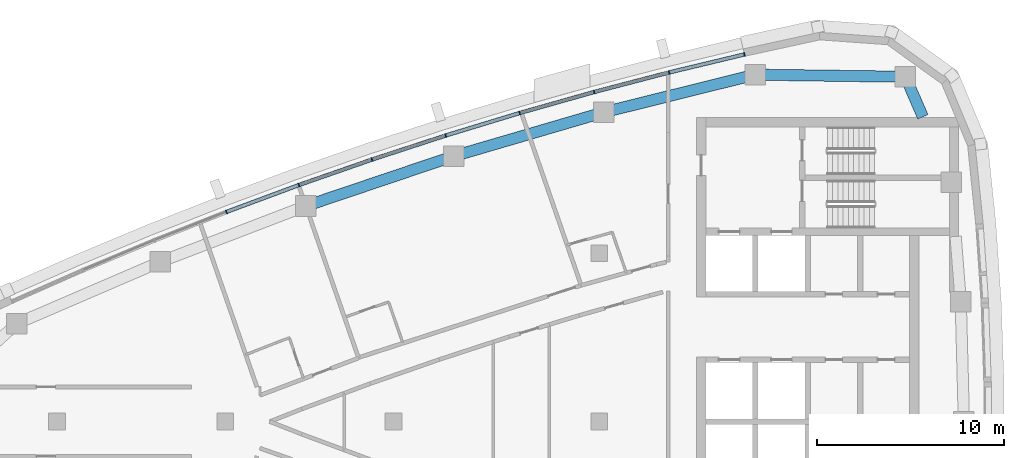
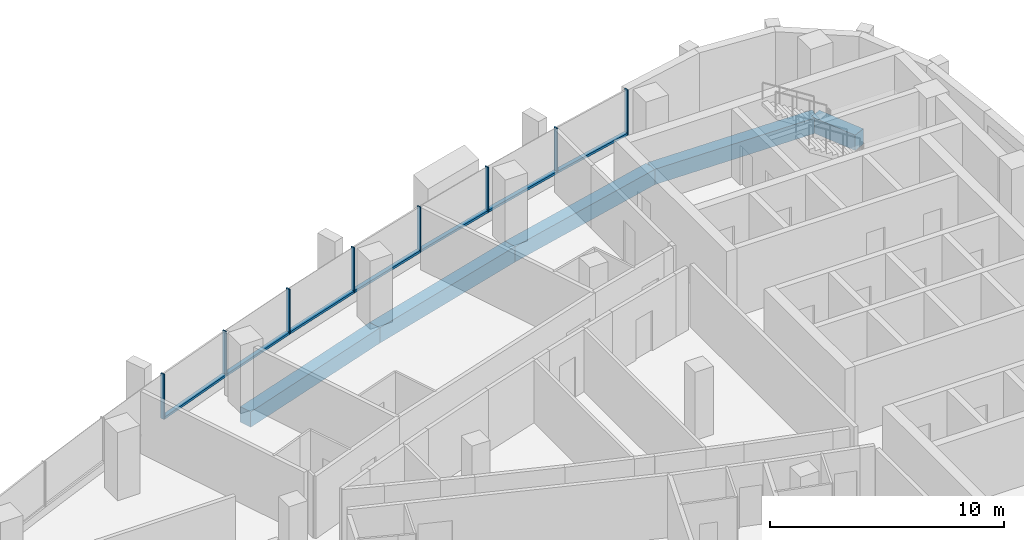
# One storey, part 5 of 14: 15 members, 5 beams, 4 elements without a shape of their own.
"""IFC4 building model written with IfcOpenShell, lengths in metres."""

from ifc_helpers import new_model, si_unit, direction, frame, origin, origin_2d, place, context, subcontext, project, spatial, rectangle, extrude, material, layer, layer_set, material_profile, profile_set, type_object, element, aggregate, save


model = new_model("IFC4")

# Units and contexts
model_context = context("Model", 3, precision=1e-05, world=origin(), true_north=direction((0.0, 1.0)))
body_context = subcontext(model_context, "Body", "Model", "MODEL_VIEW")
ifc_project = project(units=[si_unit("LENGTHUNIT", "METRE"), si_unit("AREAUNIT", "SQUARE_METRE"), si_unit("VOLUMEUNIT", "CUBIC_METRE"), si_unit("PLANEANGLEUNIT", "RADIAN"), si_unit("MASSUNIT", "GRAM", prefix="KILO")], contexts=[model_context])

# Site, building, storey
site_placement = place(None, origin())
site = spatial("IfcSite", under=ifc_project, at=site_placement, CompositionType="ELEMENT")
building_placement = place(site_placement, origin())
building = spatial("IfcBuilding", under=site, at=building_placement, Name="Ostrand Prow Hotel Tower", CompositionType="ELEMENT")
storey_placement = place(building_placement, frame((0.0, 0.0, 267.89990234375)))
storey = spatial("IfcBuildingStorey", under=building, at=storey_placement, Name="L67", CompositionType="ELEMENT", Elevation=267.89990234375)

# Beams
ifc_material_1 = material(Name="Concrete C50/60", Category="concrete")
ifc_material_profile_1 = material_profile(ifc_material_1, rectangle(XDim=0.60009765625, YDim=0.800048828125, at=origin_2d()), Name="RC 600x800")
ifc_profile_set_1 = profile_set([ifc_material_profile_1], Name="Concrete C50/60")
beam_type = type_object("IfcBeamType", Name="Edge beam 600x800 C50/60", PredefinedType="SPANDREL", material=ifc_profile_set_1)
beam_1_placement = place(storey_placement, frame((62.304931640625, 16.300048828125, -0.699951171875), z_axis=(-0.398863844187, 0.91701016014, 0.0), x_axis=(-0.91701016014, -0.398863844187, 0.0)))
element("IfcBeam", 1, at=beam_1_placement, inside=storey, type_object=beam_type, Name="Edge beam B5-NE", PredefinedType="SPANDREL", context=body_context, shape_type="SweptSolid", body=[
    extrude(rectangle(XDim=0.60009765625, YDim=0.800048828125, at=origin_2d()), origin(), (0.0, 0.0, 1.0), 2.333251953125),
])
beam_2_placement = place(storey_placement, frame((61.374267578125, 18.439697265625, -0.699951171875), z_axis=(-0.999900689486, 0.014092947356, 0.0), x_axis=(-0.014092947356, -0.999900689486, 0.0)))
element("IfcBeam", 2, at=beam_2_placement, inside=storey, type_object=beam_type, Name="Edge beam NE-N1", PredefinedType="SPANDREL", context=body_context, shape_type="SweptSolid", body=[
    extrude(rectangle(XDim=0.60009765625, YDim=0.800048828125, at=origin_2d()), origin(), (0.0, 0.0, 1.0), 8.0380859375),
])
for number, where, z_axis, x_axis, name in (
    (3, (53.3369140625, 18.552978515625, -0.699951171875), (-0.970456465292, -0.241276291775, 0.0), (0.241276291775, -0.970456465292, 0.0), "Edge beam N1-N2"),
    (4, (45.234619140625, 16.53857421875, -0.699951171875), (-0.959821966031, -0.280609681809, 0.0), (0.280609681809, -0.959821966031, 0.0), "Edge beam N2-N3"),
    (5, (37.22119140625, 14.19580078125, -0.699951171875), (-0.947575089419, -0.319533174981, 0.0), (0.319533174981, -0.947575089419, 0.0), "Edge beam N3-N4"),
):
    element("IfcBeam", number, at=place(storey_placement, frame(where, z_axis=z_axis, x_axis=x_axis)), inside=storey, type_object=beam_type, Name=name, PredefinedType="SPANDREL", context=body_context, shape_type="SweptSolid", body=[
        extrude(rectangle(XDim=0.60009765625, YDim=0.800048828125, at=origin_2d()), origin(), (0.0, 0.0, 1.0), 8.348876953125),
    ])

# Curtain wall, members
ifc_material_2 = material(Name="Insulated glass in bronze anodised frame", Category="glass")
ifc_layer = layer(ifc_material_2, 0.199951171875)
ifc_layer_set = layer_set([ifc_layer], Name="Insulated glass in bronze anodised frame")
curtain_wall_type = type_object("IfcCurtainWallType", Name="Strip curtain wall, fritted glass over bronze spandrel", PredefinedType="NOTDEFINED", material=ifc_layer_set)
curtain_wall_1_placement = place(storey_placement, origin())
curtain_wall_1 = element("IfcCurtainWall", 6, at=curtain_wall_1_placement, inside=storey, type_object=curtain_wall_type, Name="CW1 run CWN1", PredefinedType="NOTDEFINED")
ifc_material_3 = material(Name="Bronze anodised aluminium", Category="aluminium")
ifc_material_profile_2 = material_profile(ifc_material_3, rectangle(XDim=0.199951171875, YDim=0.06005859375, at=origin_2d()), Name="Mullion 60x200 bronze anodised aluminium")
ifc_profile_set_2 = profile_set([ifc_material_profile_2], Name="Bronze anodised aluminium")
member_type_1 = type_object("IfcMemberType", Name="Mullion 60x200 bronze anodised aluminium", PredefinedType="MULLION", material=ifc_profile_set_2)
member_1_placement = place(storey_placement, frame((52.7607421875, 19.634521484375, 0.900146484375), z_axis=(0.0, 0.0, 1.0), x_axis=(0.232746096028, -0.972537533869, 0.0)))
member_1 = element("IfcMember", 7, at=member_1_placement, type_object=member_type_1, Name="CW1 mullion 1", PredefinedType="MULLION", context=body_context, shape_type="SweptSolid", body=[
    extrude(rectangle(XDim=0.199951171875, YDim=0.06005859375, at=origin_2d()), origin(), (0.0, 0.0, 1.0), 2.349853515625),
])
member_2_placement = place(storey_placement, frame((48.734619140625, 18.6708984375, 0.900146484375), z_axis=(0.0, 0.0, 1.0), x_axis=(0.252248384867, -0.967662519855, 0.0)))
member_2 = element("IfcMember", 8, at=member_2_placement, type_object=member_type_1, Name="CW1 mullion 2", PredefinedType="MULLION", context=body_context, shape_type="SweptSolid", body=[
    extrude(rectangle(XDim=0.199951171875, YDim=0.06005859375, at=origin_2d()), origin(), (0.0, 0.0, 1.0), 2.349853515625),
])
member_3_placement = place(storey_placement, frame((44.728515625, 17.626708984375, 0.900146484375), z_axis=(0.0, 0.0, 1.0), x_axis=(0.252248384867, -0.967662519855, 0.0)))
member_3 = element("IfcMember", 9, at=member_3_placement, type_object=member_type_1, Name="CW1 mullion 3", PredefinedType="MULLION", context=body_context, shape_type="SweptSolid", body=[
    extrude(rectangle(XDim=0.199951171875, YDim=0.06005859375, at=origin_2d()), origin(), (0.0, 0.0, 1.0), 2.349853515625),
])

curtain_wall_2_placement = place(storey_placement, origin())
curtain_wall_2 = element("IfcCurtainWall", 10, at=curtain_wall_2_placement, inside=storey, type_object=curtain_wall_type, Name="CW1 run CWN2", PredefinedType="NOTDEFINED")
member_4_placement = place(storey_placement, frame((40.744384765625, 16.502197265625, 0.900146484375), z_axis=(0.0, 0.0, 1.0), x_axis=(0.290937648411, -0.956742015769, 0.0)))
member_4 = element("IfcMember", 11, at=member_4_placement, type_object=member_type_1, Name="CW1 mullion 2", PredefinedType="MULLION", context=body_context, shape_type="SweptSolid", body=[
    extrude(rectangle(XDim=0.199951171875, YDim=0.06005859375, at=origin_2d()), origin(), (0.0, 0.0, 1.0), 2.349853515625),
])
member_5_placement = place(storey_placement, frame((36.78369140625, 15.297607421875, 0.900146484375), z_axis=(0.0, 0.0, 1.0), x_axis=(0.290937648411, -0.956742015769, 0.0)))
member_5 = element("IfcMember", 12, at=member_5_placement, type_object=member_type_1, Name="CW1 mullion 3", PredefinedType="MULLION", context=body_context, shape_type="SweptSolid", body=[
    extrude(rectangle(XDim=0.199951171875, YDim=0.06005859375, at=origin_2d()), origin(), (0.0, 0.0, 1.0), 2.349853515625),
])

curtain_wall_3_placement = place(storey_placement, origin())
curtain_wall_3 = element("IfcCurtainWall", 13, at=curtain_wall_3_placement, inside=storey, type_object=curtain_wall_type, Name="CW1 run CWN3", PredefinedType="NOTDEFINED")
member_6_placement = place(storey_placement, frame((32.84814453125, 14.013916015625, 0.900146484375), z_axis=(0.0, 0.0, 1.0), x_axis=(0.329158370885, -0.944274730614, 0.0)))
member_6 = element("IfcMember", 14, at=member_6_placement, type_object=member_type_1, Name="CW1 mullion 2", PredefinedType="MULLION", context=body_context, shape_type="SweptSolid", body=[
    extrude(rectangle(XDim=0.199951171875, YDim=0.06005859375, at=origin_2d()), origin(), (0.0, 0.0, 1.0), 2.349853515625),
])
member_7_placement = place(storey_placement, frame((28.93896484375, 12.6513671875, 0.900146484375), z_axis=(0.0, 0.0, 1.0), x_axis=(0.329158370885, -0.944274730614, 0.0)))
member_7 = element("IfcMember", 15, at=member_7_placement, type_object=member_type_1, Name="CW1 mullion 3", PredefinedType="MULLION", context=body_context, shape_type="SweptSolid", body=[
    extrude(rectangle(XDim=0.199951171875, YDim=0.06005859375, at=origin_2d()), origin(), (0.0, 0.0, 1.0), 2.349853515625),
])

# Curtain wall, member
curtain_wall_4_placement = place(storey_placement, origin())
curtain_wall_4 = element("IfcCurtainWall", 16, at=curtain_wall_4_placement, inside=storey, type_object=curtain_wall_type, Name="CW1 run CWN4", PredefinedType="NOTDEFINED")
member_8_placement = place(storey_placement, frame((25.05810546875, 11.210205078125, 0.900146484375), z_axis=(0.0, 0.0, 1.0), x_axis=(0.366845465248, -0.930281895249, 0.0)))
member_8 = element("IfcMember", 17, at=member_8_placement, type_object=member_type_1, Name="CW1 mullion 2", PredefinedType="MULLION", context=body_context, shape_type="SweptSolid", body=[
    extrude(rectangle(XDim=0.199951171875, YDim=0.06005859375, at=origin_2d()), origin(), (0.0, 0.0, 1.0), 2.349853515625),
])

# Member
ifc_material_4 = material(Name="Bronze anodised aluminium", Category="aluminium")
ifc_material_profile_3 = material_profile(ifc_material_4, rectangle(XDim=0.199951171875, YDim=0.1201171875, at=origin_2d()), Name="Transom 120x200 bronze anodised aluminium")
ifc_profile_set_3 = profile_set([ifc_material_profile_3], Name="Bronze anodised aluminium")
member_type_2 = type_object("IfcMemberType", Name="Transom 120x200 bronze anodised aluminium", PredefinedType="USERDEFINED", material=ifc_profile_set_3)
member_9_placement = place(storey_placement, frame((52.7314453125, 19.62744140625, 0.960205078125), z_axis=(-0.972542980558, -0.232723335675, 0.0), x_axis=(0.232723335675, -0.972542980558, 0.0)))
member_9 = element("IfcMember", 18, at=member_9_placement, type_object=member_type_2, Name="CW1 transom 1.1", ObjectType="TRANSOM", PredefinedType="USERDEFINED", context=body_context, shape_type="SweptSolid", body=[
    extrude(rectangle(XDim=0.199951171875, YDim=0.1201171875, at=origin_2d()), origin(), (0.0, 0.0, 1.0), 4.079833984375),
])

member_10_placement = place(storey_placement, frame((48.70556640625, 18.663330078125, 0.960205078125), z_axis=(-0.967664917891, -0.252239185461, 0.0), x_axis=(0.252239185461, -0.967664917891, 0.0)))
member_10 = element("IfcMember", 19, at=member_10_placement, type_object=member_type_2, Name="CW1 transom 2.1", ObjectType="TRANSOM", PredefinedType="USERDEFINED", context=body_context, shape_type="SweptSolid", body=[
    extrude(rectangle(XDim=0.199951171875, YDim=0.1201171875, at=origin_2d()), origin(), (0.0, 0.0, 1.0), 4.07958984375),
])

aggregate(curtain_wall_1, [member_1, member_2, member_3, member_9, member_10])

member_11_placement = place(storey_placement, frame((44.69970703125, 17.61865234375, 0.960205078125), z_axis=(-0.962386308628, -0.271684730828, 0.0), x_axis=(0.271684730828, -0.962386308628, 0.0)))
member_11 = element("IfcMember", 20, at=member_11_placement, type_object=member_type_2, Name="CW1 transom 1.1", ObjectType="TRANSOM", PredefinedType="USERDEFINED", context=body_context, shape_type="SweptSolid", body=[
    extrude(rectangle(XDim=0.199951171875, YDim=0.1201171875, at=origin_2d()), origin(), (0.0, 0.0, 1.0), 4.079833984375),
])

member_12_placement = place(storey_placement, frame((40.7158203125, 16.493408203125, 0.960205078125), z_axis=(-0.956739081124, -0.290947298751, 0.0), x_axis=(0.290947298751, -0.956739081124, 0.0)))
member_12 = element("IfcMember", 21, at=member_12_placement, type_object=member_type_2, Name="CW1 transom 2.1", ObjectType="TRANSOM", PredefinedType="USERDEFINED", context=body_context, shape_type="SweptSolid", body=[
    extrude(rectangle(XDim=0.199951171875, YDim=0.1201171875, at=origin_2d()), origin(), (0.0, 0.0, 1.0), 4.079833984375),
])

aggregate(curtain_wall_2, [member_4, member_5, member_11, member_12])

member_13_placement = place(storey_placement, frame((36.75537109375, 15.288330078125, 0.960205078125), z_axis=(-0.950704145978, -0.310099382165, 0.0), x_axis=(0.310099382165, -0.950704145978, 0.0)))
member_13 = element("IfcMember", 22, at=member_13_placement, type_object=member_type_2, Name="CW1 transom 1.1", ObjectType="TRANSOM", PredefinedType="USERDEFINED", context=body_context, shape_type="SweptSolid", body=[
    extrude(rectangle(XDim=0.199951171875, YDim=0.1201171875, at=origin_2d()), origin(), (0.0, 0.0, 1.0), 4.079833984375),
])

member_14_placement = place(storey_placement, frame((32.81982421875, 14.004150390625, 0.960205078125), z_axis=(-0.944268108385, -0.329177367822, 0.0), x_axis=(0.329177367822, -0.944268108385, 0.0)))
member_14 = element("IfcMember", 23, at=member_14_placement, type_object=member_type_2, Name="CW1 transom 2.1", ObjectType="TRANSOM", PredefinedType="USERDEFINED", context=body_context, shape_type="SweptSolid", body=[
    extrude(rectangle(XDim=0.199951171875, YDim=0.1201171875, at=origin_2d()), origin(), (0.0, 0.0, 1.0), 4.079833984375),
])

aggregate(curtain_wall_3, [member_6, member_7, member_13, member_14])

member_15_placement = place(storey_placement, frame((28.910888671875, 12.640869140625, 0.960205078125), z_axis=(-0.937460424566, -0.348091873465, 0.0), x_axis=(0.348091873465, -0.937460424566, 0.0)))
member_15 = element("IfcMember", 24, at=member_15_placement, type_object=member_type_2, Name="CW1 transom 1.1", ObjectType="TRANSOM", PredefinedType="USERDEFINED", context=body_context, shape_type="SweptSolid", body=[
    extrude(rectangle(XDim=0.199951171875, YDim=0.1201171875, at=origin_2d()), origin(), (0.0, 0.0, 1.0), 4.079833984375),
])

aggregate(curtain_wall_4, [member_8, member_15])

save(model, "model.ifc")
